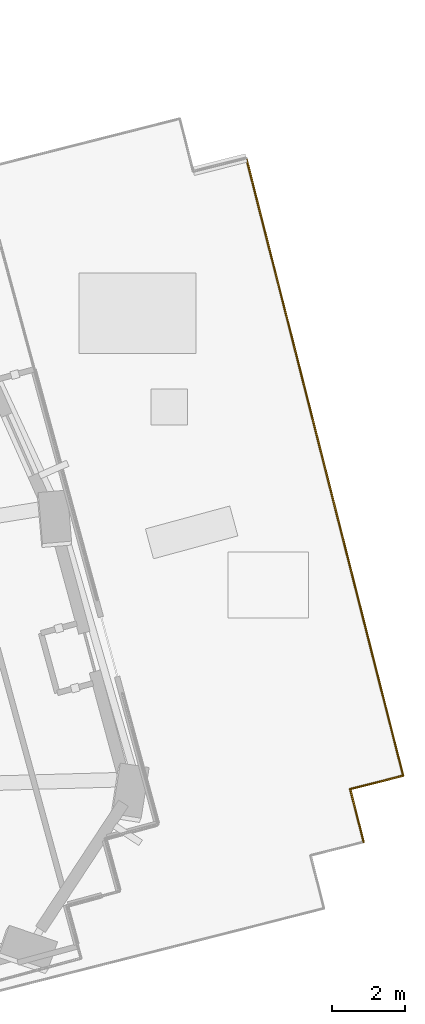
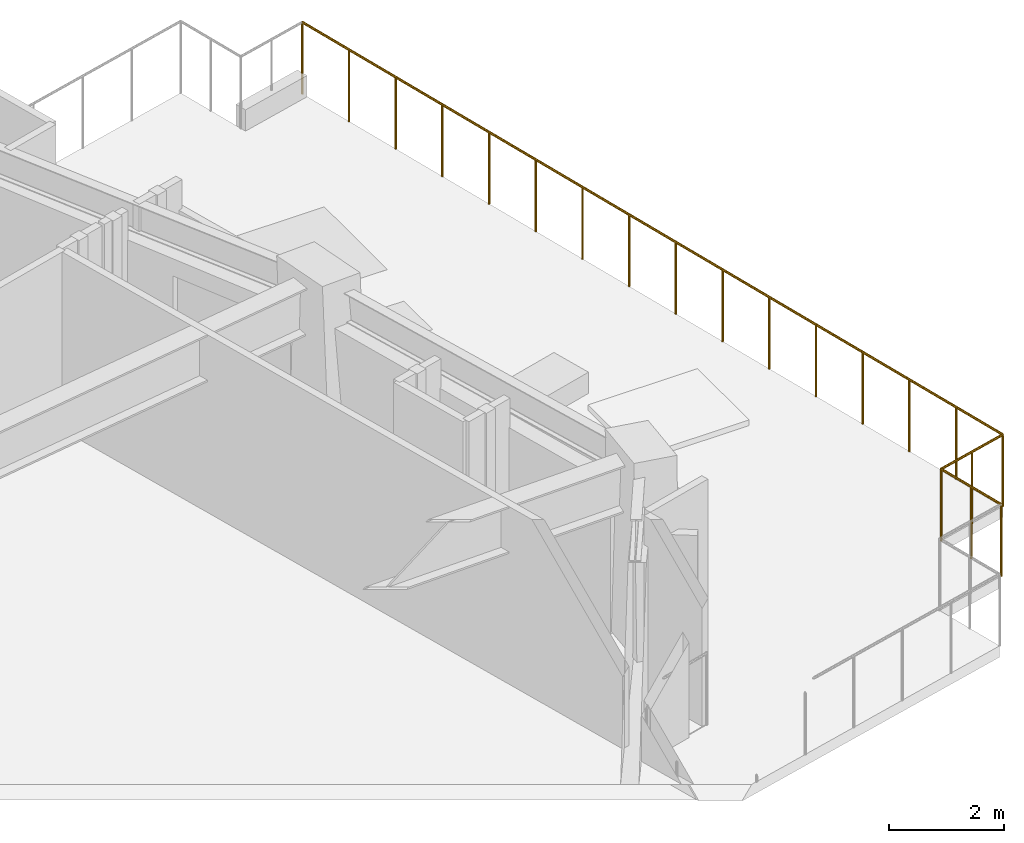
# One storey, part 15 of 15: 3 railings.
"""IFC4 building model written with IfcOpenShell, lengths in metres."""

from ifc_helpers import new_model, si_unit, direction, frame, origin, origin_2d, place, context, subcontext, project, spatial, circle, extrude, material, layer, layer_set, type_object, element, save


model = new_model("IFC4")

# Units and contexts
model_context = context("Model", 3, precision=1e-05, world=origin(), true_north=direction((0.0, 1.0)))
body_context = subcontext(model_context, "Body", "Model", "MODEL_VIEW")
ifc_project = project(units=[si_unit("LENGTHUNIT", "METRE"), si_unit("AREAUNIT", "SQUARE_METRE"), si_unit("VOLUMEUNIT", "CUBIC_METRE"), si_unit("PLANEANGLEUNIT", "RADIAN"), si_unit("MASSUNIT", "GRAM", prefix="KILO")], contexts=[model_context])

# Site, building, storey
site_placement = place(None, origin())
site = spatial("IfcSite", under=ifc_project, at=site_placement, CompositionType="ELEMENT")
building_placement = place(site_placement, origin())
building = spatial("IfcBuilding", under=site, at=building_placement, Name="Gaonmaruhae Medical Tower", CompositionType="ELEMENT")
storey_placement = place(building_placement, frame((0.0, 0.0, 88.39990234375)))
storey = spatial("IfcBuildingStorey", under=building, at=storey_placement, Name="L20", CompositionType="ELEMENT", Elevation=88.39990234375)

# Railings
ifc_material = material(Name="Stainless steel 316L and laminated safety glass", Category="steel")
ifc_layer = layer(ifc_material, 0.080078125)
ifc_layer_set = layer_set([ifc_layer], Name="Stainless steel 316L and laminated safety glass")
railing_type = type_object("IfcRailingType", Name="GD-155 Planter-Edge Raised Safety Balustrade", PredefinedType="BALUSTRADE", material=ifc_layer_set)
railing_1_placement = place(storey_placement, frame((63.630859375, 30.0537109375, 0.0)))
element("IfcRailing", 1, at=railing_1_placement, inside=storey, type_object=railing_type, Name="L20 Terrace Safety Guard RL-SLB-L20-SKYG1-02", PredefinedType="BALUSTRADE", context=body_context, shape_type="SweptSolid", body=[
    extrude(circle(Radius=0.02392578125, at=origin_2d()), frame((0.0, 0.0, 1.52587890625), z_axis=(0.246151349833, -0.969231403214, 0.0), x_axis=(0.969231403214, 0.246151349833, 0.0)), (0.0, 0.0, 1.0), 17.499755859375),
    extrude(circle(Radius=0.02099609375, at=origin_2d()), origin(), (0.0, 0.0, 1.0), 1.501953125),
    extrude(circle(Radius=0.02099609375, at=origin_2d()), frame((0.287109375, -1.130859375, 0.0)), (0.0, 0.0, 1.0), 1.501953125),
    extrude(circle(Radius=0.02099609375, at=origin_2d()), frame((0.574462890625, -2.261474609375, 0.0)), (0.0, 0.0, 1.0), 1.501953125),
    extrude(circle(Radius=0.02099609375, at=origin_2d()), frame((0.861572265625, -3.392333984375, 0.0)), (0.0, 0.0, 1.0), 1.501953125),
    extrude(circle(Radius=0.02099609375, at=origin_2d()), frame((1.148681640625, -4.52294921875, 0.0)), (0.0, 0.0, 1.0), 1.501953125),
    extrude(circle(Radius=0.02099609375, at=origin_2d()), frame((1.435791015625, -5.65380859375, 0.0)), (0.0, 0.0, 1.0), 1.501953125),
    extrude(circle(Radius=0.02099609375, at=origin_2d()), frame((1.72314453125, -6.78466796875, 0.0)), (0.0, 0.0, 1.0), 1.501953125),
    extrude(circle(Radius=0.02099609375, at=origin_2d()), frame((2.01025390625, -7.915283203125, 0.0)), (0.0, 0.0, 1.0), 1.501953125),
    extrude(circle(Radius=0.02099609375, at=origin_2d()), frame((2.29736328125, -9.046142578125, 0.0)), (0.0, 0.0, 1.0), 1.501953125),
    extrude(circle(Radius=0.02099609375, at=origin_2d()), frame((2.58447265625, -10.1767578125, 0.0)), (0.0, 0.0, 1.0), 1.501953125),
    extrude(circle(Radius=0.02099609375, at=origin_2d()), frame((2.871826171875, -11.3076171875, 0.0)), (0.0, 0.0, 1.0), 1.501953125),
    extrude(circle(Radius=0.02099609375, at=origin_2d()), frame((3.158935546875, -12.4384765625, 0.0)), (0.0, 0.0, 1.0), 1.501953125),
    extrude(circle(Radius=0.02099609375, at=origin_2d()), frame((3.446044921875, -13.569091796875, 0.0)), (0.0, 0.0, 1.0), 1.501953125),
    extrude(circle(Radius=0.02099609375, at=origin_2d()), frame((3.733154296875, -14.699951171875, 0.0)), (0.0, 0.0, 1.0), 1.501953125),
    extrude(circle(Radius=0.02099609375, at=origin_2d()), frame((4.0205078125, -15.83056640625, 0.0)), (0.0, 0.0, 1.0), 1.501953125),
    extrude(circle(Radius=0.02099609375, at=origin_2d()), frame((4.3076171875, -16.96142578125, 0.0)), (0.0, 0.0, 1.0), 1.501953125),
])
railing_2_placement = place(storey_placement, frame((67.9384765625, 13.09228515625, 0.0)))
element("IfcRailing", 2, at=railing_2_placement, inside=storey, type_object=railing_type, Name="L20 Terrace Safety Guard RL-SLB-L20-SKYG1-03", PredefinedType="BALUSTRADE", context=body_context, shape_type="SweptSolid", body=[
    extrude(circle(Radius=0.02392578125, at=origin_2d()), frame((0.0, 0.0, 1.52587890625), z_axis=(-0.969245560491, -0.24609559823, 0.0), x_axis=(0.24609559823, -0.969245560491, 0.0)), (0.0, 0.0, 1.0), 1.5),
    extrude(circle(Radius=0.02099609375, at=origin_2d()), origin(), (0.0, 0.0, 1.0), 1.501953125),
    extrude(circle(Radius=0.02099609375, at=origin_2d()), frame((-0.72705078125, -0.1845703125, 0.0)), (0.0, 0.0, 1.0), 1.501953125),
    extrude(circle(Radius=0.02099609375, at=origin_2d()), frame((-1.453857421875, -0.369140625, 0.0)), (0.0, 0.0, 1.0), 1.501953125),
])
railing_3_placement = place(storey_placement, frame((66.484619140625, 12.72314453125, 0.0)))
element("IfcRailing", 3, at=railing_3_placement, inside=storey, type_object=railing_type, Name="L20 Terrace Safety Guard RL-SLB-L20-SKYG1-04", PredefinedType="BALUSTRADE", context=body_context, shape_type="SweptSolid", body=[
    extrude(circle(Radius=0.02392578125, at=origin_2d()), frame((0.0, 0.0, 1.52587890625), z_axis=(0.24609559823, -0.969245560491, 0.0), x_axis=(0.969245560491, 0.24609559823, 0.0)), (0.0, 0.0, 1.0), 1.5),
    extrude(circle(Radius=0.02099609375, at=origin_2d()), origin(), (0.0, 0.0, 1.0), 1.501953125),
    extrude(circle(Radius=0.02099609375, at=origin_2d()), frame((0.1845703125, -0.72705078125, 0.0)), (0.0, 0.0, 1.0), 1.501953125),
    extrude(circle(Radius=0.02099609375, at=origin_2d()), frame((0.369140625, -1.453857421875, 0.0)), (0.0, 0.0, 1.0), 1.501953125),
])

save(model, "model.ifc")
